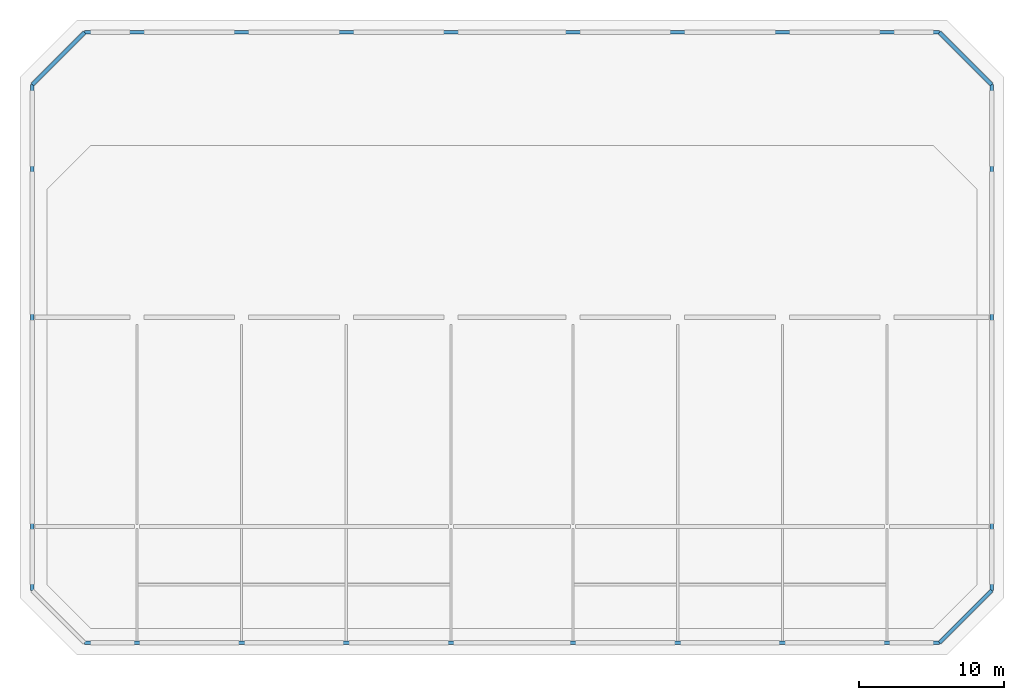
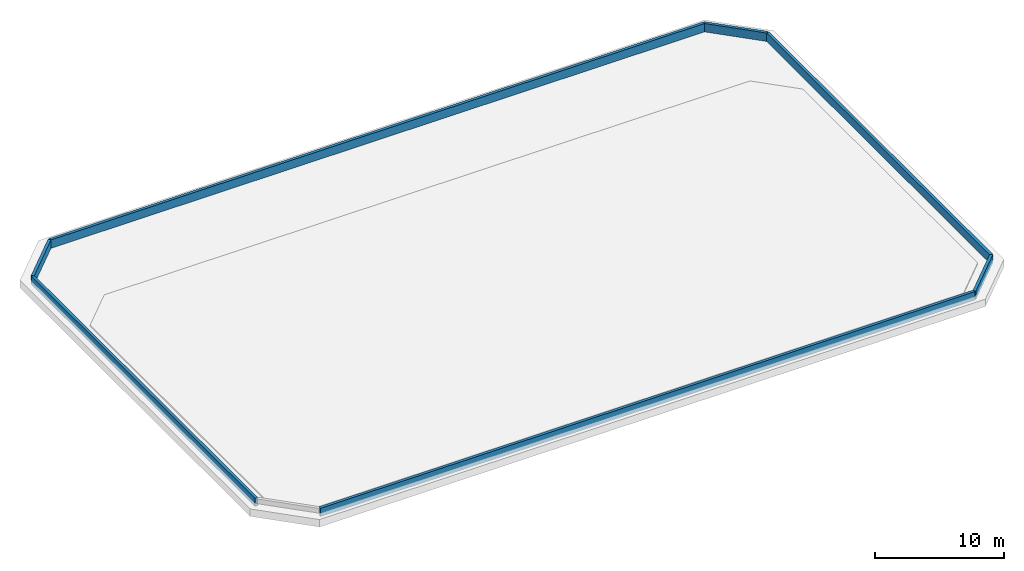
# One storey, part 2 of 3: 7 walls.
"""IFC4 building model written with IfcOpenShell, lengths in metres."""

import ifcopenshell
import ifcopenshell.guid

model = None  # the IFC model being written
_history = None  # IfcOwnerHistory: only IFC2X3 demands one
_inside = {}  # id of a spatial element -> (the spatial element, [elements in it])
_under = {}  # id of a project, library or spatial element -> (it, [spatial elements below it])
_declared = {}  # id of a project -> (the project, [libraries it declares])
_typed = {}  # id of a type object -> (the type object, [elements of that type])
_made_of = {}  # id of a material, layer set ... -> (it, [elements and type objects made of it])


def new_model(schema):
    """Start an empty IFC model of exactly this schema.

    Asked for "IFC4X3", IfcOpenShell would pick the latest addendum, in which some entities
    have other attributes; the version numbers below select the first issue.
    IFC2X3 requires an IfcOwnerHistory on every rooted entity: one is made here for all.
    """
    global model, _history
    if schema == "IFC4X3":
        model = ifcopenshell.file(schema_version=(4, 3, 0, 0))
    else:
        model = ifcopenshell.file(schema=schema)
    _inside.clear()
    _under.clear()
    _declared.clear()
    _typed.clear()
    _made_of.clear()
    _history = None
    if model.schema == "IFC2X3":
        org = make("IfcOrganization", Name="unknown")
        user = make(
            "IfcPersonAndOrganization",
            ThePerson=make("IfcPerson", FamilyName="unknown"),
            TheOrganization=org,
        )
        app = make(
            "IfcApplication",
            ApplicationDeveloper=org,
            Version="unknown",
            ApplicationFullName="unknown",
            ApplicationIdentifier="unknown",
        )
        _history = make(
            "IfcOwnerHistory",
            OwningUser=user,
            OwningApplication=app,
            ChangeAction="ADDED",
            CreationDate=0,
        )
    return model


def make(cls, **values):
    """One entity of the class cls with the attributes given. An attribute that is None is left unset."""
    return model.create_entity(
        cls, **{name: value for name, value in values.items() if value is not None}
    )


def rooted(cls, **values):
    """An entity with a GlobalId (a new one), such as an element, a storey or a relation."""
    return make(cls, GlobalId=ifcopenshell.guid.new(), OwnerHistory=_history, **values)


def si_unit(unit_type, name, prefix=None):
    """IfcSIUnit, for example si_unit("LENGTHUNIT", "METRE", prefix="MILLI")."""
    return make("IfcSIUnit", UnitType=unit_type, Prefix=prefix, Name=name)


def assignment(units):
    """IfcUnitAssignment: the units of a project."""
    return None if units is None else make("IfcUnitAssignment", Units=units)


def point(xyz):
    """IfcCartesianPoint."""
    return None if xyz is None else make("IfcCartesianPoint", Coordinates=xyz)


def direction(xyz):
    """IfcDirection."""
    return None if xyz is None else make("IfcDirection", DirectionRatios=xyz)


def frame(location, z_axis=None, x_axis=None):
    """IfcAxis2Placement3D, a coordinate frame: its origin and axes. An axis left out is left unset."""
    return make(
        "IfcAxis2Placement3D",
        Location=point(location),
        Axis=direction(z_axis),
        RefDirection=direction(x_axis),
    )


def frame_2d(location, x_axis=None):
    """IfcAxis2Placement2D, a coordinate frame in the plane: its origin and x axis."""
    return make(
        "IfcAxis2Placement2D", Location=point(location), RefDirection=direction(x_axis)
    )


def origin():
    """The frame at (0, 0, 0) with its axes left unset."""
    return frame((0.0, 0.0, 0.0))


def place(relative_to, where):
    """IfcLocalPlacement: puts the frame where relative to a parent placement (None: the world)."""
    return make(
        "IfcLocalPlacement", PlacementRelTo=relative_to, RelativePlacement=where
    )


def context(
    kind, dimensions, precision=None, world=None, true_north=None, identifier=None
):
    """IfcGeometricRepresentationContext, for example the 3D "Model" context."""
    return make(
        "IfcGeometricRepresentationContext",
        ContextIdentifier=identifier,
        ContextType=kind,
        CoordinateSpaceDimension=dimensions,
        Precision=precision,
        WorldCoordinateSystem=world,
        TrueNorth=true_north,
    )


def subcontext(parent, identifier, kind, view, scale=None):
    """IfcGeometricRepresentationSubContext, for example "Body" below "Model"."""
    return make(
        "IfcGeometricRepresentationSubContext",
        ContextIdentifier=identifier,
        ContextType=kind,
        ParentContext=parent,
        TargetScale=scale,
        TargetView=view,
    )


def project(units=None, contexts=None):
    """IfcProject with its units and contexts."""
    return rooted(
        "IfcProject",
        Name="project",
        RepresentationContexts=contexts,
        UnitsInContext=assignment(units),
    )


def spatial(cls, under=None, at=None, **own):
    """A site, building, storey or space (cls), placed at a placement, below another one or the project."""
    s = rooted(cls, ObjectPlacement=at, **own)
    if under is not None:
        _under.setdefault(under.id(), (under, []))[1].append(s)
    return s


def profile(cls, at=None, kind="AREA", **sizes):
    """A parametric profile (cls). Its sizes go by their IFC names, for example OverallWidth=200.0."""
    return make(cls, ProfileType=kind, Position=at, **sizes)


def rectangle(**sizes):
    """IfcRectangleProfileDef."""
    return profile("IfcRectangleProfileDef", **sizes)


def extrude(swept, where, along, depth):
    """IfcExtrudedAreaSolid: the profile swept, set in the frame where, extruded along a direction by depth."""
    return make(
        "IfcExtrudedAreaSolid",
        SweptArea=swept,
        Position=where,
        ExtrudedDirection=direction(along),
        Depth=depth,
    )


def shape(context_of_items, identifier, shape_type, items):
    """IfcShapeRepresentation: the items that make up one representation, for example the "Body"."""
    return make(
        "IfcShapeRepresentation",
        ContextOfItems=context_of_items,
        RepresentationIdentifier=identifier,
        RepresentationType=shape_type,
        Items=items,
    )


def material(Name=None, Category=None):
    """IfcMaterial."""
    return make("IfcMaterial", Name=Name, Category=Category)


def layer(
    of_material, thickness, ventilated=None, Name=None, Category=None, Priority=None
):
    """IfcMaterialLayer: one layer of a wall or slab, of a material (None: an air gap)."""
    return make(
        "IfcMaterialLayer",
        Material=of_material,
        LayerThickness=thickness,
        IsVentilated=ventilated,
        Name=Name,
        Category=Category,
        Priority=Priority,
    )


def layer_set(layers, Name=None):
    """IfcMaterialLayerSet."""
    return make("IfcMaterialLayerSet", MaterialLayers=layers, LayerSetName=Name)


def made_of(thing, what):
    """Note that an element or type object is made of a material, layer set ...; save() writes the relation."""
    if what is not None:
        _made_of.setdefault(what.id(), (what, []))[1].append(thing)
    return thing


def type_object(cls, material=None, **own):
    """A type object (cls), such as IfcWallType, which elements share."""
    return made_of(rooted(cls, **own), material)


def element(
    cls,
    number,
    at=None,
    inside=None,
    cuts=None,
    type_object=None,
    material=None,
    context=None,
    identifier="Body",
    shape_type=None,
    held_by="IfcProductDefinitionShape",
    body=None,
    shapes=None,
    **own,
):
    """One element of the class cls, such as IfcWall. Its Tag is "e" and its number.

    at: its placement. inside: the storey or other place that contains it. cuts: it is an
    opening in that element (IfcRelVoidsElement). A single representation is given by context,
    identifier, shape_type and body (its items); several are given by shapes. held_by: the class
    of the entity that holds the representations. save() writes the other relations.
    """
    e = rooted(cls, Tag="e%d" % number, ObjectPlacement=at, **own)
    if body is not None:
        shapes = [shape(context, identifier, shape_type, body)]
    if shapes is not None:
        e.Representation = make(held_by, Representations=shapes)
    if inside is not None:
        _inside.setdefault(inside.id(), (inside, []))[1].append(e)
    if cuts is not None:
        rooted(
            "IfcRelVoidsElement", RelatingBuildingElement=cuts, RelatedOpeningElement=e
        )
    if type_object is not None:
        _typed.setdefault(type_object.id(), (type_object, []))[1].append(e)
    return made_of(e, material)


def aggregate(whole, parts):
    """IfcRelAggregates: a whole, such as a stair, and the parts it consists of."""
    return rooted("IfcRelAggregates", RelatingObject=whole, RelatedObjects=parts)


def save(model, path):
    """Write the relations noted so far, then the file.

    IfcRelAggregates (storeys below a building ...), IfcRelContainedInSpatialStructure (elements
    in a storey), IfcRelDefinesByType, IfcRelAssociatesMaterial and IfcRelDeclares: one each for
    every whole, place, type object, material and project.
    """
    for whole, parts in _under.values():
        aggregate(whole, parts)
    for where, things in _inside.values():
        rooted(
            "IfcRelContainedInSpatialStructure",
            RelatedElements=things,
            RelatingStructure=where,
        )
    for kind, things in _typed.values():
        rooted("IfcRelDefinesByType", RelatedObjects=things, RelatingType=kind)
    for what, things in _made_of.values():
        rooted("IfcRelAssociatesMaterial", RelatedObjects=things, RelatingMaterial=what)
    for by, libraries in _declared.values():
        rooted("IfcRelDeclares", RelatingContext=by, RelatedDefinitions=libraries)
    model.write(path)


model = new_model("IFC4")

# Units and contexts
model_context = context("Model", 3, precision=1e-05, world=origin(), true_north=direction((0.0, 1.0)))
body_context = subcontext(model_context, "Body", "Model", "MODEL_VIEW")
ifc_project = project(units=[si_unit("LENGTHUNIT", "METRE"), si_unit("AREAUNIT", "SQUARE_METRE"), si_unit("VOLUMEUNIT", "CUBIC_METRE"), si_unit("PLANEANGLEUNIT", "RADIAN"), si_unit("MASSUNIT", "GRAM", prefix="KILO")], contexts=[model_context])

# Site, building, storey
site_placement = place(None, origin())
site = spatial("IfcSite", under=ifc_project, at=site_placement, CompositionType="ELEMENT")
building_placement = place(site_placement, origin())
building = spatial("IfcBuilding", under=site, at=building_placement, Name="Kaelvorn Grand Hotel", CompositionType="ELEMENT")
storey_placement = place(building_placement, frame((0.0, 0.0, 318.60009765625)))
storey = spatial("IfcBuildingStorey", under=building, at=storey_placement, Name="L76", CompositionType="ELEMENT", Elevation=318.60009765625)

# Walls
ifc_material = material(Name="Concrete C40/50", Category="concrete")
ifc_layer = layer(ifc_material, 0.25)
ifc_layer_set = layer_set([ifc_layer], Name="Concrete C40/50")
wall_type = type_object("IfcWallType", Name="WL-PAR-400-C40", PredefinedType="PARAPET", material=ifc_layer_set)
wall_1_placement = place(storey_placement, frame((12.60009765625, 7.0, 0.0), z_axis=(0.0, 0.0, 1.0), x_axis=(1.0, 0.0, 0.0)))
element("IfcWall", 1, at=wall_1_placement, inside=storey, type_object=wall_type, Name="L76 Crown Parasol Canopy Parapet Wall 01", PredefinedType="PARAPET", context=body_context, shape_type="SweptSolid", body=[
    extrude(rectangle(XDim=58.7998046875, YDim=0.25, at=frame_2d((29.39990234375, 0.0))), origin(), (0.0, 0.0, 1.0), 0.7998046875),
])
wall_2_placement = place(storey_placement, frame((71.39990234375, 7.0, 0.0), z_axis=(0.0, 0.0, 1.0), x_axis=(0.707106781187, 0.707106781187, 0.0)))
element("IfcWall", 2, at=wall_2_placement, inside=storey, type_object=wall_type, Name="L76 Crown Parasol Canopy Parapet Wall 02", PredefinedType="PARAPET", context=body_context, shape_type="SweptSolid", body=[
    extrude(rectangle(XDim=5.09130859375, YDim=0.25, at=frame_2d((2.545654296875, 0.0))), origin(), (0.0, 0.0, 1.0), 0.7998046875),
])
wall_3_placement = place(storey_placement, frame((75.0, 10.60009765625, 0.0), z_axis=(0.0, 0.0, 1.0), x_axis=(0.0, 1.0, 0.0)))
element("IfcWall", 3, at=wall_3_placement, inside=storey, type_object=wall_type, Name="L76 Crown Parasol Canopy Parapet Wall 03", PredefinedType="PARAPET", context=body_context, shape_type="SweptSolid", body=[
    extrude(rectangle(XDim=34.7998046875, YDim=0.25, at=frame_2d((17.39990234375, 0.0))), origin(), (0.0, 0.0, 1.0), 0.7998046875),
])
wall_4_placement = place(storey_placement, frame((75.0, 45.39990234375, 0.0), z_axis=(0.0, 0.0, 1.0), x_axis=(-0.707106781187, 0.707106781187, 0.0)))
element("IfcWall", 4, at=wall_4_placement, inside=storey, type_object=wall_type, Name="L76 Crown Parasol Canopy Parapet Wall 04", PredefinedType="PARAPET", context=body_context, shape_type="SweptSolid", body=[
    extrude(rectangle(XDim=5.09130859375, YDim=0.25, at=frame_2d((2.545654296875, 0.0))), origin(), (0.0, 0.0, 1.0), 0.7998046875),
])
wall_5_placement = place(storey_placement, frame((71.39990234375, 49.0, 0.0), z_axis=(0.0, 0.0, 1.0), x_axis=(-1.0, 0.0, 0.0)))
element("IfcWall", 5, at=wall_5_placement, inside=storey, type_object=wall_type, Name="L76 Crown Parasol Canopy Parapet Wall 05", PredefinedType="PARAPET", context=body_context, shape_type="SweptSolid", body=[
    extrude(rectangle(XDim=58.7998046875, YDim=0.25, at=frame_2d((29.39990234375, 0.0))), origin(), (0.0, 0.0, 1.0), 0.7998046875),
])
wall_6_placement = place(storey_placement, frame((12.60009765625, 49.0, 0.0), z_axis=(0.0, 0.0, 1.0), x_axis=(-0.707106781187, -0.707106781187, 0.0)))
element("IfcWall", 6, at=wall_6_placement, inside=storey, type_object=wall_type, Name="L76 Crown Parasol Canopy Parapet Wall 06", PredefinedType="PARAPET", context=body_context, shape_type="SweptSolid", body=[
    extrude(rectangle(XDim=5.09130859375, YDim=0.25, at=frame_2d((2.545654296875, 0.0))), origin(), (0.0, 0.0, 1.0), 0.7998046875),
])
wall_7_placement = place(storey_placement, frame((9.0, 45.39990234375, 0.0), z_axis=(0.0, 0.0, 1.0), x_axis=(0.0, -1.0, 0.0)))
element("IfcWall", 7, at=wall_7_placement, inside=storey, type_object=wall_type, Name="L76 Crown Parasol Canopy Parapet Wall 07", PredefinedType="PARAPET", context=body_context, shape_type="SweptSolid", body=[
    extrude(rectangle(XDim=34.7998046875, YDim=0.25, at=frame_2d((17.39990234375, 0.0))), origin(), (0.0, 0.0, 1.0), 0.7998046875),
])

save(model, "model.ifc")
